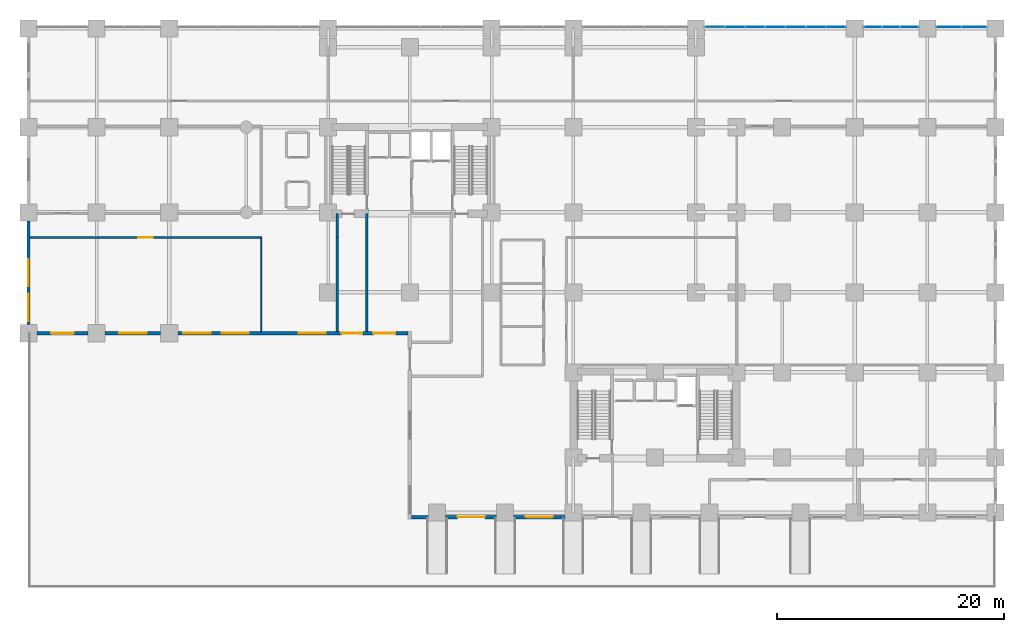
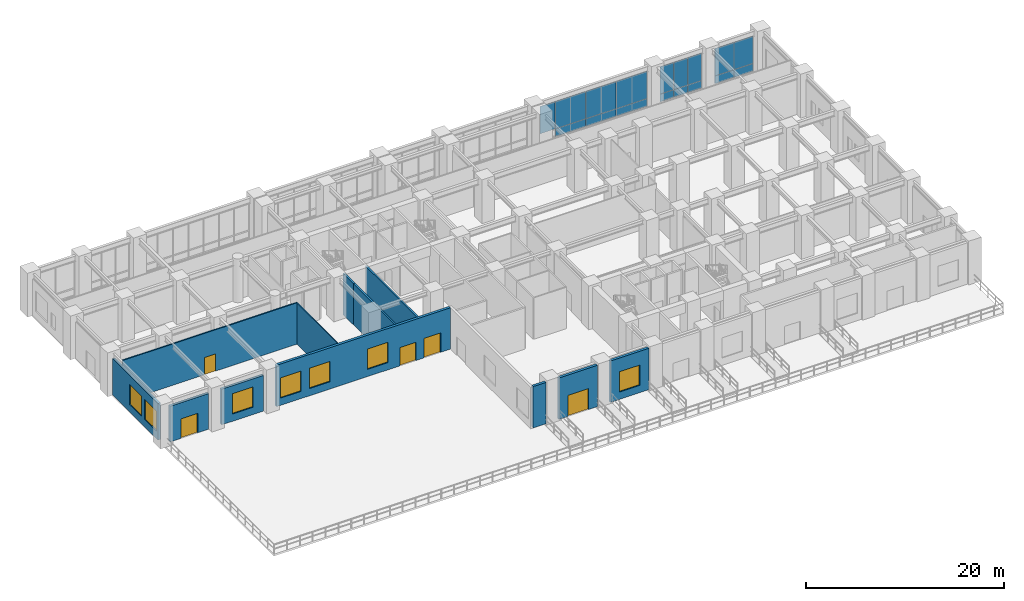
# One storey, part 13 of 22: 17 plates, 12 walls, 7 windows, 5 doors, 12 openings, 3 elements without a shape of their own.
"""IFC4 building model written with IfcOpenShell, lengths in metres."""

import ifcopenshell
import ifcopenshell.guid

model = None  # the IFC model being written
_history = None  # IfcOwnerHistory: only IFC2X3 demands one
_inside = {}  # id of a spatial element -> (the spatial element, [elements in it])
_under = {}  # id of a project, library or spatial element -> (it, [spatial elements below it])
_declared = {}  # id of a project -> (the project, [libraries it declares])
_typed = {}  # id of a type object -> (the type object, [elements of that type])
_made_of = {}  # id of a material, layer set ... -> (it, [elements and type objects made of it])


def new_model(schema):
    """Start an empty IFC model of exactly this schema.

    Asked for "IFC4X3", IfcOpenShell would pick the latest addendum, in which some entities
    have other attributes; the version numbers below select the first issue.
    IFC2X3 requires an IfcOwnerHistory on every rooted entity: one is made here for all.
    """
    global model, _history
    if schema == "IFC4X3":
        model = ifcopenshell.file(schema_version=(4, 3, 0, 0))
    else:
        model = ifcopenshell.file(schema=schema)
    _inside.clear()
    _under.clear()
    _declared.clear()
    _typed.clear()
    _made_of.clear()
    _history = None
    if model.schema == "IFC2X3":
        org = make("IfcOrganization", Name="unknown")
        user = make(
            "IfcPersonAndOrganization",
            ThePerson=make("IfcPerson", FamilyName="unknown"),
            TheOrganization=org,
        )
        app = make(
            "IfcApplication",
            ApplicationDeveloper=org,
            Version="unknown",
            ApplicationFullName="unknown",
            ApplicationIdentifier="unknown",
        )
        _history = make(
            "IfcOwnerHistory",
            OwningUser=user,
            OwningApplication=app,
            ChangeAction="ADDED",
            CreationDate=0,
        )
    return model


def make(cls, **values):
    """One entity of the class cls with the attributes given. An attribute that is None is left unset."""
    return model.create_entity(
        cls, **{name: value for name, value in values.items() if value is not None}
    )


def rooted(cls, **values):
    """An entity with a GlobalId (a new one), such as an element, a storey or a relation."""
    return make(cls, GlobalId=ifcopenshell.guid.new(), OwnerHistory=_history, **values)


def si_unit(unit_type, name, prefix=None):
    """IfcSIUnit, for example si_unit("LENGTHUNIT", "METRE", prefix="MILLI")."""
    return make("IfcSIUnit", UnitType=unit_type, Prefix=prefix, Name=name)


def assignment(units):
    """IfcUnitAssignment: the units of a project."""
    return None if units is None else make("IfcUnitAssignment", Units=units)


def point(xyz):
    """IfcCartesianPoint."""
    return None if xyz is None else make("IfcCartesianPoint", Coordinates=xyz)


def direction(xyz):
    """IfcDirection."""
    return None if xyz is None else make("IfcDirection", DirectionRatios=xyz)


def frame(location, z_axis=None, x_axis=None):
    """IfcAxis2Placement3D, a coordinate frame: its origin and axes. An axis left out is left unset."""
    return make(
        "IfcAxis2Placement3D",
        Location=point(location),
        Axis=direction(z_axis),
        RefDirection=direction(x_axis),
    )


def frame_2d(location, x_axis=None):
    """IfcAxis2Placement2D, a coordinate frame in the plane: its origin and x axis."""
    return make(
        "IfcAxis2Placement2D", Location=point(location), RefDirection=direction(x_axis)
    )


def origin():
    """The frame at (0, 0, 0) with its axes left unset."""
    return frame((0.0, 0.0, 0.0))


def origin_2d():
    """The frame at (0, 0) in the plane with its x axis left unset."""
    return frame_2d((0.0, 0.0))


def place(relative_to, where):
    """IfcLocalPlacement: puts the frame where relative to a parent placement (None: the world)."""
    return make(
        "IfcLocalPlacement", PlacementRelTo=relative_to, RelativePlacement=where
    )


def context(
    kind, dimensions, precision=None, world=None, true_north=None, identifier=None
):
    """IfcGeometricRepresentationContext, for example the 3D "Model" context."""
    return make(
        "IfcGeometricRepresentationContext",
        ContextIdentifier=identifier,
        ContextType=kind,
        CoordinateSpaceDimension=dimensions,
        Precision=precision,
        WorldCoordinateSystem=world,
        TrueNorth=true_north,
    )


def subcontext(parent, identifier, kind, view, scale=None):
    """IfcGeometricRepresentationSubContext, for example "Body" below "Model"."""
    return make(
        "IfcGeometricRepresentationSubContext",
        ContextIdentifier=identifier,
        ContextType=kind,
        ParentContext=parent,
        TargetScale=scale,
        TargetView=view,
    )


def project(units=None, contexts=None):
    """IfcProject with its units and contexts."""
    return rooted(
        "IfcProject",
        Name="project",
        RepresentationContexts=contexts,
        UnitsInContext=assignment(units),
    )


def spatial(cls, under=None, at=None, **own):
    """A site, building, storey or space (cls), placed at a placement, below another one or the project."""
    s = rooted(cls, ObjectPlacement=at, **own)
    if under is not None:
        _under.setdefault(under.id(), (under, []))[1].append(s)
    return s


def profile(cls, at=None, kind="AREA", **sizes):
    """A parametric profile (cls). Its sizes go by their IFC names, for example OverallWidth=200.0."""
    return make(cls, ProfileType=kind, Position=at, **sizes)


def rectangle(**sizes):
    """IfcRectangleProfileDef."""
    return profile("IfcRectangleProfileDef", **sizes)


def extrude(swept, where, along, depth):
    """IfcExtrudedAreaSolid: the profile swept, set in the frame where, extruded along a direction by depth."""
    return make(
        "IfcExtrudedAreaSolid",
        SweptArea=swept,
        Position=where,
        ExtrudedDirection=direction(along),
        Depth=depth,
    )


def shape(context_of_items, identifier, shape_type, items):
    """IfcShapeRepresentation: the items that make up one representation, for example the "Body"."""
    return make(
        "IfcShapeRepresentation",
        ContextOfItems=context_of_items,
        RepresentationIdentifier=identifier,
        RepresentationType=shape_type,
        Items=items,
    )


def source(mapping_origin, context_of_items, identifier, shape_type, items):
    """IfcRepresentationMap: a shape defined once, which mapped items show again and again."""
    return make(
        "IfcRepresentationMap",
        MappingOrigin=mapping_origin,
        MappedRepresentation=shape(context_of_items, identifier, shape_type, items),
    )


def transform(
    local_origin,
    x_axis=None,
    y_axis=None,
    z_axis=None,
    scale=None,
    scale2=None,
    scale3=None,
    uniform=True,
):
    """IfcCartesianTransformationOperator3D, or its non-uniform kind. x_axis, y_axis, z_axis: its Axis1, 2, 3."""
    if uniform:
        return make(
            "IfcCartesianTransformationOperator3D",
            Axis1=direction(x_axis),
            Axis2=direction(y_axis),
            LocalOrigin=point(local_origin),
            Scale=scale,
            Axis3=direction(z_axis),
        )
    return make(
        "IfcCartesianTransformationOperator3DnonUniform",
        Axis1=direction(x_axis),
        Axis2=direction(y_axis),
        LocalOrigin=point(local_origin),
        Scale=scale,
        Axis3=direction(z_axis),
        Scale2=scale2,
        Scale3=scale3,
    )


def mapped(mapping_source, mapping_target):
    """IfcMappedItem: shows the shape of a source again, moved by a transform."""
    return make(
        "IfcMappedItem", MappingSource=mapping_source, MappingTarget=mapping_target
    )


def material(Name=None, Category=None):
    """IfcMaterial."""
    return make("IfcMaterial", Name=Name, Category=Category)


def layer(
    of_material, thickness, ventilated=None, Name=None, Category=None, Priority=None
):
    """IfcMaterialLayer: one layer of a wall or slab, of a material (None: an air gap)."""
    return make(
        "IfcMaterialLayer",
        Material=of_material,
        LayerThickness=thickness,
        IsVentilated=ventilated,
        Name=Name,
        Category=Category,
        Priority=Priority,
    )


def layer_set(layers, Name=None):
    """IfcMaterialLayerSet."""
    return make("IfcMaterialLayerSet", MaterialLayers=layers, LayerSetName=Name)


def made_of(thing, what):
    """Note that an element or type object is made of a material, layer set ...; save() writes the relation."""
    if what is not None:
        _made_of.setdefault(what.id(), (what, []))[1].append(thing)
    return thing


def type_object(cls, material=None, **own):
    """A type object (cls), such as IfcWallType, which elements share."""
    return made_of(rooted(cls, **own), material)


def element(
    cls,
    number,
    at=None,
    inside=None,
    cuts=None,
    type_object=None,
    material=None,
    context=None,
    identifier="Body",
    shape_type=None,
    held_by="IfcProductDefinitionShape",
    body=None,
    shapes=None,
    **own,
):
    """One element of the class cls, such as IfcWall. Its Tag is "e" and its number.

    at: its placement. inside: the storey or other place that contains it. cuts: it is an
    opening in that element (IfcRelVoidsElement). A single representation is given by context,
    identifier, shape_type and body (its items); several are given by shapes. held_by: the class
    of the entity that holds the representations. save() writes the other relations.
    """
    e = rooted(cls, Tag="e%d" % number, ObjectPlacement=at, **own)
    if body is not None:
        shapes = [shape(context, identifier, shape_type, body)]
    if shapes is not None:
        e.Representation = make(held_by, Representations=shapes)
    if inside is not None:
        _inside.setdefault(inside.id(), (inside, []))[1].append(e)
    if cuts is not None:
        rooted(
            "IfcRelVoidsElement", RelatingBuildingElement=cuts, RelatedOpeningElement=e
        )
    if type_object is not None:
        _typed.setdefault(type_object.id(), (type_object, []))[1].append(e)
    return made_of(e, material)


def fill(opening, filler):
    """IfcRelFillsElement: the door or window that sits in an opening."""
    return rooted(
        "IfcRelFillsElement",
        RelatingOpeningElement=opening,
        RelatedBuildingElement=filler,
    )


def aggregate(whole, parts):
    """IfcRelAggregates: a whole, such as a stair, and the parts it consists of."""
    return rooted("IfcRelAggregates", RelatingObject=whole, RelatedObjects=parts)


def save(model, path):
    """Write the relations noted so far, then the file.

    IfcRelAggregates (storeys below a building ...), IfcRelContainedInSpatialStructure (elements
    in a storey), IfcRelDefinesByType, IfcRelAssociatesMaterial and IfcRelDeclares: one each for
    every whole, place, type object, material and project.
    """
    for whole, parts in _under.values():
        aggregate(whole, parts)
    for where, things in _inside.values():
        rooted(
            "IfcRelContainedInSpatialStructure",
            RelatedElements=things,
            RelatingStructure=where,
        )
    for kind, things in _typed.values():
        rooted("IfcRelDefinesByType", RelatedObjects=things, RelatingType=kind)
    for what, things in _made_of.values():
        rooted("IfcRelAssociatesMaterial", RelatedObjects=things, RelatingMaterial=what)
    for by, libraries in _declared.values():
        rooted("IfcRelDeclares", RelatingContext=by, RelatedDefinitions=libraries)
    model.write(path)


model = new_model("IFC4")

# Units and contexts
model_context = context("Model", 3, precision=1e-05, world=origin(), true_north=direction((0.0, 1.0)))
body_context = subcontext(model_context, "Body", "Model", "MODEL_VIEW")
ifc_project = project(units=[si_unit("LENGTHUNIT", "METRE"), si_unit("AREAUNIT", "SQUARE_METRE"), si_unit("VOLUMEUNIT", "CUBIC_METRE"), si_unit("PLANEANGLEUNIT", "RADIAN"), si_unit("MASSUNIT", "GRAM", prefix="KILO")], contexts=[model_context])

# Site, building, storey
site_placement = place(None, origin())
site = spatial("IfcSite", under=ifc_project, at=site_placement, CompositionType="ELEMENT")
building_placement = place(site_placement, origin())
building = spatial("IfcBuilding", under=site, at=building_placement, Name="Kaliganga Portal Commons", CompositionType="ELEMENT")
storey_placement = place(building_placement, origin())
storey = spatial("IfcBuildingStorey", under=building, at=storey_placement, Name="L00", CompositionType="ELEMENT", Elevation=0.0)

# Curtain wall, plates
ifc_material_1 = material(Name="Anodized Aluminium and Laminated Low-E Glass", Category="aluminium")
ifc_layer_1 = layer(ifc_material_1, 0.219970703125)
ifc_layer_set_1 = layer_set([ifc_layer_1], Name="Anodized Aluminium and Laminated Low-E Glass")
curtain_wall_type = type_object("IfcCurtainWallType", Name="CW-SYS-01", PredefinedType="NOTDEFINED", material=ifc_layer_set_1)
curtain_wall_1_placement = place(storey_placement, origin())
curtain_wall_1 = element("IfcCurtainWall", 1, at=curtain_wall_1_placement, inside=storey, type_object=curtain_wall_type, Name="CW 01 L00 P1E02S1", PredefinedType="NOTDEFINED")
ifc_material_2 = material(Name="Insulated Dark Spandrel Panel", Category="metal")
ifc_layer_2 = layer(ifc_material_2, 0.044921875)
ifc_layer_set_2 = layer_set([ifc_layer_2], Name="Insulated Dark Spandrel Panel")
plate_type_1 = type_object("IfcPlateType", Name="PLT-SPN-45", PredefinedType="SHEET", material=ifc_layer_set_2)
shared_shape_1 = source(origin(), body_context, "Body", "SweptSolid", [
    extrude(rectangle(XDim=2.208984375, YDim=0.044921875, at=origin_2d()), origin(), (0.0, 0.0, 1.0), 0.929931640625),
])
plate_1_placement = place(storey_placement, frame((71.324462890625, 45.0, 0.01025390625), z_axis=(0.0, 0.0, 1.0), x_axis=(-1.0, 0.0, 0.0)))
plate_1 = element("IfcPlate", 2, at=plate_1_placement, type_object=plate_type_1, Name="CW:01:L00:P1E02S1 Spandrel 00", PredefinedType="SHEET", context=body_context, shape_type="MappedRepresentation", body=[
    mapped(shared_shape_1, transform((0.0, 0.0, 0.0), x_axis=(1.0, 0.0, 0.0), y_axis=(0.0, 1.0, 0.0), z_axis=(0.0, 0.0, 1.0), scale=1.0)),
])
plate_2_placement = place(storey_placement, frame((69.075439453125, 45.0, 0.01025390625), z_axis=(0.0, 0.0, 1.0), x_axis=(-1.0, 0.0, 0.0)))
plate_2 = element("IfcPlate", 3, at=plate_2_placement, type_object=plate_type_1, Name="CW:01:L00:P1E02S1 Spandrel 01", PredefinedType="SHEET", context=body_context, shape_type="MappedRepresentation", body=[
    mapped(shared_shape_1, transform((0.0, 0.0, 0.0), x_axis=(1.0, 0.0, 0.0), y_axis=(0.0, 1.0, 0.0), z_axis=(0.0, 0.0, 1.0), scale=1.0)),
])
ifc_material_3 = material(Name="Dark Solar-Control Laminated Low-E IGU", Category="glass")
ifc_layer_3 = layer(ifc_material_3, 0.028076171875)
ifc_layer_set_3 = layer_set([ifc_layer_3], Name="Dark Solar-Control Laminated Low-E IGU")
plate_type_2 = type_object("IfcPlateType", Name="PLT-GLZ-28", PredefinedType="CURTAIN_PANEL", material=ifc_layer_set_3)
shared_shape_2 = source(origin(), body_context, "Body", "SweptSolid", [
    extrude(rectangle(XDim=2.208984375, YDim=0.028076171875, at=origin_2d()), origin(), (0.0, 0.0, 1.0), 3.3701171875),
])
plate_3_placement = place(storey_placement, frame((71.324462890625, 45.0, 0.9599609375), z_axis=(0.0, 0.0, 1.0), x_axis=(-1.0, 0.0, 0.0)))
plate_3 = element("IfcPlate", 4, at=plate_3_placement, type_object=plate_type_2, Name="CW:01:L00:P1E02S1 Vision IGU 00", PredefinedType="CURTAIN_PANEL", context=body_context, shape_type="MappedRepresentation", body=[
    mapped(shared_shape_2, transform((0.0, 0.0, 0.0), x_axis=(1.0, 0.0, 0.0), y_axis=(0.0, 1.0, 0.0), z_axis=(0.0, 0.0, 1.0), scale=1.0)),
])
plate_4_placement = place(storey_placement, frame((69.075439453125, 45.0, 0.9599609375), z_axis=(0.0, 0.0, 1.0), x_axis=(-1.0, 0.0, 0.0)))
plate_4 = element("IfcPlate", 5, at=plate_4_placement, type_object=plate_type_2, Name="CW:01:L00:P1E02S1 Vision IGU 01", PredefinedType="CURTAIN_PANEL", context=body_context, shape_type="MappedRepresentation", body=[
    mapped(shared_shape_2, transform((0.0, 0.0, 0.0), x_axis=(1.0, 0.0, 0.0), y_axis=(0.0, 1.0, 0.0), z_axis=(0.0, 0.0, 1.0), scale=1.0)),
])
aggregate(curtain_wall_1, [plate_1, plate_3, plate_2, plate_4])

curtain_wall_2_placement = place(storey_placement, origin())
curtain_wall_2 = element("IfcCurtainWall", 6, at=curtain_wall_2_placement, inside=storey, type_object=curtain_wall_type, Name="CW 01 L00 P1E02S2", PredefinedType="NOTDEFINED")
shared_shape_3 = source(origin(), body_context, "Body", "SweptSolid", [
    extrude(rectangle(XDim=1.5927734375, YDim=0.044921875, at=origin_2d()), origin(), (0.0, 0.0, 1.0), 0.929931640625),
])
plate_5_placement = place(storey_placement, frame((65.6328125, 45.0, 0.01025390625), z_axis=(0.0, 0.0, 1.0), x_axis=(-1.0, 0.0, 0.0)))
plate_5 = element("IfcPlate", 7, at=plate_5_placement, type_object=plate_type_1, Name="CW:01:L00:P1E02S2 Spandrel 00", PredefinedType="SHEET", context=body_context, shape_type="MappedRepresentation", body=[
    mapped(shared_shape_3, transform((0.0, 0.0, 0.0), x_axis=(1.0, 0.0, 0.0), y_axis=(0.0, 1.0, 0.0), z_axis=(0.0, 0.0, 1.0), scale=1.0)),
])
plate_6_placement = place(storey_placement, frame((64.0, 45.0, 0.01025390625), z_axis=(0.0, 0.0, 1.0), x_axis=(-1.0, 0.0, 0.0)))
plate_6 = element("IfcPlate", 8, at=plate_6_placement, type_object=plate_type_1, Name="CW:01:L00:P1E02S2 Spandrel 01", PredefinedType="SHEET", context=body_context, shape_type="MappedRepresentation", body=[
    mapped(shared_shape_3, transform((0.0, 0.0, 0.0), x_axis=(1.0, 0.0, 0.0), y_axis=(0.0, 1.0, 0.0), z_axis=(0.0, 0.0, 1.0), scale=1.0)),
])
plate_7_placement = place(storey_placement, frame((62.3671875, 45.0, 0.01025390625), z_axis=(0.0, 0.0, 1.0), x_axis=(-1.0, 0.0, 0.0)))
plate_7 = element("IfcPlate", 9, at=plate_7_placement, type_object=plate_type_1, Name="CW:01:L00:P1E02S2 Spandrel 02", PredefinedType="SHEET", context=body_context, shape_type="MappedRepresentation", body=[
    mapped(shared_shape_3, transform((0.0, 0.0, 0.0), x_axis=(1.0, 0.0, 0.0), y_axis=(0.0, 1.0, 0.0), z_axis=(0.0, 0.0, 1.0), scale=1.0)),
])
shared_shape_4 = source(origin(), body_context, "Body", "SweptSolid", [
    extrude(rectangle(XDim=1.5927734375, YDim=0.028076171875, at=origin_2d()), origin(), (0.0, 0.0, 1.0), 3.3701171875),
])
plate_8_placement = place(storey_placement, frame((65.6328125, 45.0, 0.9599609375), z_axis=(0.0, 0.0, 1.0), x_axis=(-1.0, 0.0, 0.0)))
plate_8 = element("IfcPlate", 10, at=plate_8_placement, type_object=plate_type_2, Name="CW:01:L00:P1E02S2 Vision IGU 00", PredefinedType="CURTAIN_PANEL", context=body_context, shape_type="MappedRepresentation", body=[
    mapped(shared_shape_4, transform((0.0, 0.0, 0.0), x_axis=(1.0, 0.0, 0.0), y_axis=(0.0, 1.0, 0.0), z_axis=(0.0, 0.0, 1.0), scale=1.0)),
])
plate_9_placement = place(storey_placement, frame((64.0, 45.0, 0.9599609375), z_axis=(0.0, 0.0, 1.0), x_axis=(-1.0, 0.0, 0.0)))
plate_9 = element("IfcPlate", 11, at=plate_9_placement, type_object=plate_type_2, Name="CW:01:L00:P1E02S2 Vision IGU 01", PredefinedType="CURTAIN_PANEL", context=body_context, shape_type="MappedRepresentation", body=[
    mapped(shared_shape_4, transform((0.0, 0.0, 0.0), x_axis=(1.0, 0.0, 0.0), y_axis=(0.0, 1.0, 0.0), z_axis=(0.0, 0.0, 1.0), scale=1.0)),
])
plate_10_placement = place(storey_placement, frame((62.3671875, 45.0, 0.9599609375), z_axis=(0.0, 0.0, 1.0), x_axis=(-1.0, 0.0, 0.0)))
plate_10 = element("IfcPlate", 12, at=plate_10_placement, type_object=plate_type_2, Name="CW:01:L00:P1E02S2 Vision IGU 02", PredefinedType="CURTAIN_PANEL", context=body_context, shape_type="MappedRepresentation", body=[
    mapped(shared_shape_4, transform((0.0, 0.0, 0.0), x_axis=(1.0, 0.0, 0.0), y_axis=(0.0, 1.0, 0.0), z_axis=(0.0, 0.0, 1.0), scale=1.0)),
])
aggregate(curtain_wall_2, [plate_5, plate_8, plate_6, plate_9, plate_7, plate_10])

curtain_wall_3_placement = place(storey_placement, origin())
curtain_wall_3 = element("IfcCurtainWall", 13, at=curtain_wall_3_placement, inside=storey, type_object=curtain_wall_type, Name="CW 01 L00 P1E02S3", PredefinedType="NOTDEFINED")
shared_shape_5 = source(origin(), body_context, "Body", "SweptSolid", [
    extrude(rectangle(XDim=3.531005859375, YDim=0.044921875, at=origin_2d()), origin(), (0.0, 0.0, 1.0), 0.929931640625),
])
plate_11_placement = place(storey_placement, frame((58.263671875, 45.0, 0.01025390625), z_axis=(0.0, 0.0, 1.0), x_axis=(-1.0, 0.0, 0.0)))
plate_11 = element("IfcPlate", 14, at=plate_11_placement, type_object=plate_type_1, Name="CW:01:L00:P1E02S3 Spandrel 00", PredefinedType="SHEET", context=body_context, shape_type="MappedRepresentation", body=[
    mapped(shared_shape_5, transform((0.0, 0.0, 0.0), x_axis=(1.0, 0.0, 0.0), y_axis=(0.0, 1.0, 0.0), z_axis=(0.0, 0.0, 1.0), scale=1.0)),
])
plate_12_placement = place(storey_placement, frame((54.692626953125, 45.0, 0.01025390625), z_axis=(0.0, 0.0, 1.0), x_axis=(-1.0, 0.0, 0.0)))
plate_12 = element("IfcPlate", 15, at=plate_12_placement, type_object=plate_type_1, Name="CW:01:L00:P1E02S3 Spandrel 02", PredefinedType="SHEET", context=body_context, shape_type="MappedRepresentation", body=[
    mapped(shared_shape_5, transform((0.0, 0.0, 0.0), x_axis=(1.0, 0.0, 0.0), y_axis=(0.0, 1.0, 0.0), z_axis=(0.0, 0.0, 1.0), scale=1.0)),
])
plate_13_placement = place(storey_placement, frame((51.121826171875, 45.0, 0.01025390625), z_axis=(0.0, 0.0, 1.0), x_axis=(-1.0, 0.0, 0.0)))
plate_13 = element("IfcPlate", 16, at=plate_13_placement, type_object=plate_type_1, Name="CW:01:L00:P1E02S3 Spandrel 04", PredefinedType="SHEET", context=body_context, shape_type="MappedRepresentation", body=[
    mapped(shared_shape_5, transform((0.0, 0.0, 0.0), x_axis=(1.0, 0.0, 0.0), y_axis=(0.0, 1.0, 0.0), z_axis=(0.0, 0.0, 1.0), scale=1.0)),
])
shared_shape_6 = source(origin(), body_context, "Body", "SweptSolid", [
    extrude(rectangle(XDim=3.531005859375, YDim=0.028076171875, at=origin_2d()), origin(), (0.0, 0.0, 1.0), 3.3701171875),
])
plate_14_placement = place(storey_placement, frame((58.263671875, 45.0, 0.9599609375), z_axis=(0.0, 0.0, 1.0), x_axis=(-1.0, 0.0, 0.0)))
plate_14 = element("IfcPlate", 17, at=plate_14_placement, type_object=plate_type_2, Name="CW:01:L00:P1E02S3 Vision IGU 00", PredefinedType="CURTAIN_PANEL", context=body_context, shape_type="MappedRepresentation", body=[
    mapped(shared_shape_6, transform((0.0, 0.0, 0.0), x_axis=(1.0, 0.0, 0.0), y_axis=(0.0, 1.0, 0.0), z_axis=(0.0, 0.0, 1.0), scale=1.0)),
])
plate_15_placement = place(storey_placement, frame((54.692626953125, 45.0, 0.9599609375), z_axis=(0.0, 0.0, 1.0), x_axis=(-1.0, 0.0, 0.0)))
plate_15 = element("IfcPlate", 18, at=plate_15_placement, type_object=plate_type_2, Name="CW:01:L00:P1E02S3 Vision IGU 02", PredefinedType="CURTAIN_PANEL", context=body_context, shape_type="MappedRepresentation", body=[
    mapped(shared_shape_6, transform((0.0, 0.0, 0.0), x_axis=(1.0, 0.0, 0.0), y_axis=(0.0, 1.0, 0.0), z_axis=(0.0, 0.0, 1.0), scale=1.0)),
])
plate_16_placement = place(storey_placement, frame((51.121826171875, 45.0, 0.9599609375), z_axis=(0.0, 0.0, 1.0), x_axis=(-1.0, 0.0, 0.0)))
plate_16 = element("IfcPlate", 19, at=plate_16_placement, type_object=plate_type_2, Name="CW:01:L00:P1E02S3 Vision IGU 04", PredefinedType="CURTAIN_PANEL", context=body_context, shape_type="MappedRepresentation", body=[
    mapped(shared_shape_6, transform((0.0, 0.0, 0.0), x_axis=(1.0, 0.0, 0.0), y_axis=(0.0, 1.0, 0.0), z_axis=(0.0, 0.0, 1.0), scale=1.0)),
])
shared_shape_7 = source(origin(), body_context, "Body", "SweptSolid", [
    extrude(rectangle(XDim=1.745361328125, YDim=0.028076171875, at=origin_2d()), origin(), (0.0, 0.0, 1.0), 3.3701171875),
])
plate_17_placement = place(storey_placement, frame((48.443603515625, 45.0, 0.9599609375), z_axis=(0.0, 0.0, 1.0), x_axis=(-1.0, 0.0, 0.0)))
plate_17 = element("IfcPlate", 20, at=plate_17_placement, type_object=plate_type_2, Name="CW:01:L00:P1E02S3 Vision IGU 06", PredefinedType="CURTAIN_PANEL", context=body_context, shape_type="MappedRepresentation", body=[
    mapped(shared_shape_7, transform((0.0, 0.0, 0.0), x_axis=(1.0, 0.0, 0.0), y_axis=(0.0, 1.0, 0.0), z_axis=(0.0, 0.0, 1.0), scale=1.0)),
])
aggregate(curtain_wall_3, [plate_11, plate_14, plate_12, plate_15, plate_13, plate_16, plate_17])

# Wall
ifc_material_4 = material(Name="Precast concrete C40/50", Category="concrete")
ifc_layer_4 = layer(ifc_material_4, 0.300048828125)
ifc_layer_set_4 = layer_set([ifc_layer_4], Name="Precast concrete C40/50")
wall_type_1 = type_object("IfcWallType", Name="WL-EXT-POD-300", PredefinedType="STANDARD", material=ifc_layer_set_4)
wall_1_placement = place(storey_placement, frame((23.2490234375, 1.800048828125, 0.0), z_axis=(0.0, 0.0, 1.0), x_axis=(-1.0, 0.0, 0.0)))
element("IfcWall", 21, at=wall_1_placement, inside=storey, type_object=wall_type_1, Name="Exterior Envelope Wall L00 P1-E00-S1", PredefinedType="STANDARD", context=body_context, shape_type="SweptSolid", body=[
    extrude(rectangle(XDim=1.494140625, YDim=0.300048828125, at=frame_2d((0.7470703125, 0.0))), origin(), (0.0, 0.0, 1.0), 5.10009765625),
])

# Wall, opening, door
wall_2_placement = place(storey_placement, frame((29.2490234375, 1.800048828125, 0.0), z_axis=(0.0, 0.0, 1.0), x_axis=(-1.0, 0.0, 0.0)))
wall_2 = element("IfcWall", 22, at=wall_2_placement, inside=storey, type_object=wall_type_1, Name="Exterior Envelope Wall L00 P1-E00-S2", PredefinedType="STANDARD", context=body_context, shape_type="SweptSolid", body=[
    extrude(rectangle(XDim=4.498046875, YDim=0.300048828125, at=frame_2d((2.2490234375, 0.0))), origin(), (0.0, 0.0, 1.0), 5.10009765625),
])
opening_1_placement = place(wall_2_placement, frame((1.049072265625, 0.0, 0.0)))
opening_1 = element("IfcOpeningElement", 23, at=opening_1_placement, cuts=wall_2, Name="Opening ED-01", PredefinedType="OPENING", context=body_context, shape_type="SweptSolid", body=[
    extrude(rectangle(XDim=2.39990234375, YDim=2.60009765625, at=frame_2d((1.199951171875, 1.300048828125))), frame((0.0, 0.16015625, 0.0), z_axis=(0.0, -1.0, 0.0), x_axis=(1.0, 0.0, 0.0)), (0.0, 0.0, 1.0), 0.320068359375),
])
ifc_material_5 = material(Name="Anodized Aluminium and Laminated Safety Glass", Category="aluminium")
door_type_1 = type_object("IfcDoorType", Name="DR-ENT-2400", OperationType="DOUBLE_DOOR_SINGLE_SWING", PredefinedType="DOOR", material=ifc_material_5)
door_1_placement = place(opening_1_placement, origin())
door_1 = element("IfcDoor", 24, at=door_1_placement, inside=storey, type_object=door_type_1, Name="Main Canal Concourse Entrance ED-01", OperationType="DOUBLE_DOOR_SINGLE_SWING", OverallHeight=2.60009765625, OverallWidth=2.39990234375, PredefinedType="DOOR", context=body_context, shape_type="SweptSolid", body=[
    extrude(rectangle(XDim=2.39990234375, YDim=2.60009765625, at=frame_2d((1.199951171875, 1.300048828125))), frame((0.0, 0.02490234375, 0.0), z_axis=(0.0, -1.0, 0.0), x_axis=(1.0, 0.0, 0.0)), (0.0, 0.0, 1.0), 0.050048828125),
])
fill(opening_1, door_1)

# Wall, opening, window
wall_3_placement = place(storey_placement, frame((35.2490234375, 1.800048828125, 0.0), z_axis=(0.0, 0.0, 1.0), x_axis=(-1.0, 0.0, 0.0)))
wall_3 = element("IfcWall", 25, at=wall_3_placement, inside=storey, type_object=wall_type_1, Name="Exterior Envelope Wall L00 P1-E00-S3", PredefinedType="STANDARD", context=body_context, shape_type="SweptSolid", body=[
    extrude(rectangle(XDim=4.498046875, YDim=0.300048828125, at=frame_2d((2.2490234375, 0.0))), origin(), (0.0, 0.0, 1.0), 5.10009765625),
])
opening_2_placement = place(wall_3_placement, frame((1.049072265625, 0.0, 0.89990234375)))
opening_2 = element("IfcOpeningElement", 26, at=opening_2_placement, cuts=wall_3, Name="Opening W-05", PredefinedType="OPENING", context=body_context, shape_type="SweptSolid", body=[
    extrude(rectangle(XDim=2.39990234375, YDim=2.5, at=frame_2d((1.199951171875, 1.25))), frame((0.0, 0.16015625, 0.0), z_axis=(0.0, -1.0, 0.0), x_axis=(1.0, 0.0, 0.0)), (0.0, 0.0, 1.0), 0.320068359375),
])
ifc_material_6 = material(Name="Thermally Broken Aluminium and Low-E Double Glazing", Category="aluminium")
window_type = type_object("IfcWindowType", Name="WIN-POD-2400", PartitioningType="TRIPLE_PANEL_VERTICAL", PredefinedType="WINDOW", material=ifc_material_6)
window_1_placement = place(opening_2_placement, origin())
window_1 = element("IfcWindow", 27, at=window_1_placement, inside=storey, type_object=window_type, Name="Facade Window L00-P1E00S3-00", OverallHeight=2.5, OverallWidth=2.39990234375, PartitioningType="SINGLE_PANEL", PredefinedType="WINDOW", context=body_context, shape_type="SweptSolid", body=[
    extrude(rectangle(XDim=2.39990234375, YDim=2.5, at=frame_2d((1.199951171875, 1.25))), frame((0.0, 0.030029296875, 0.0), z_axis=(0.0, -1.0, 0.0), x_axis=(1.0, 0.0, 0.0)), (0.0, 0.0, 1.0), 0.06005859375),
])
fill(opening_2, window_1)

# Wall, openings, windows
wall_4_placement = place(storey_placement, frame((-12.0, 18.7509765625, 0.0), z_axis=(0.0, 0.0, 1.0), x_axis=(0.0, 1.0, 0.0)))
wall_4 = element("IfcWall", 28, at=wall_4_placement, inside=storey, type_object=wall_type_1, Name="Exterior Envelope Wall L00 P1-E03-S3", PredefinedType="STANDARD", context=body_context, shape_type="SweptSolid", body=[
    extrude(rectangle(XDim=9.14794921875, YDim=0.300048828125, at=frame_2d((4.573974609375, 0.0))), origin(), (0.0, 0.0, 1.0), 4.5),
])
opening_3_placement = place(wall_4_placement, frame((0.32470703125, 0.0, 0.89990234375)))
opening_3 = element("IfcOpeningElement", 29, at=opening_3_placement, cuts=wall_4, Name="Opening W-05", PredefinedType="OPENING", context=body_context, shape_type="SweptSolid", body=[
    extrude(rectangle(XDim=2.39990234375, YDim=2.5, at=frame_2d((1.199951171875, 1.25))), frame((0.0, 0.16015625, 0.0), z_axis=(0.0, -1.0, 0.0), x_axis=(1.0, 0.0, 0.0)), (0.0, 0.0, 1.0), 0.320068359375),
])
opening_4_placement = place(wall_4_placement, frame((3.3740234375, 0.0, 0.89990234375)))
opening_4 = element("IfcOpeningElement", 30, at=opening_4_placement, cuts=wall_4, Name="Opening W-05", PredefinedType="OPENING", context=body_context, shape_type="SweptSolid", body=[
    extrude(rectangle(XDim=2.39990234375, YDim=2.5, at=frame_2d((1.199951171875, 1.25))), frame((0.0, 0.16015625, 0.0), z_axis=(0.0, -1.0, 0.0), x_axis=(1.0, 0.0, 0.0)), (0.0, 0.0, 1.0), 0.320068359375),
])
window_2_placement = place(opening_3_placement, origin())
window_2 = element("IfcWindow", 31, at=window_2_placement, inside=storey, type_object=window_type, Name="Facade Window L00-P1E03S3-00", OverallHeight=2.5, OverallWidth=2.39990234375, PartitioningType="SINGLE_PANEL", PredefinedType="WINDOW", context=body_context, shape_type="SweptSolid", body=[
    extrude(rectangle(XDim=2.39990234375, YDim=2.5, at=frame_2d((1.199951171875, 1.25))), frame((0.0, 0.030029296875, 0.0), z_axis=(0.0, -1.0, 0.0), x_axis=(1.0, 0.0, 0.0)), (0.0, 0.0, 1.0), 0.06005859375),
])
fill(opening_3, window_2)
window_3_placement = place(opening_4_placement, origin())
window_3 = element("IfcWindow", 32, at=window_3_placement, inside=storey, type_object=window_type, Name="Facade Window L00-P1E03S3-01", OverallHeight=2.5, OverallWidth=2.39990234375, PartitioningType="SINGLE_PANEL", PredefinedType="WINDOW", context=body_context, shape_type="SweptSolid", body=[
    extrude(rectangle(XDim=2.39990234375, YDim=2.5, at=frame_2d((1.199951171875, 1.25))), frame((0.0, 0.030029296875, 0.0), z_axis=(0.0, -1.0, 0.0), x_axis=(1.0, 0.0, 0.0)), (0.0, 0.0, 1.0), 0.06005859375),
])
fill(opening_4, window_3)

# Wall, opening, door
wall_5_placement = place(storey_placement, frame((-6.7509765625, 18.0, 0.0), z_axis=(0.0, 0.0, 1.0), x_axis=(-1.0, 0.0, 0.0)))
wall_5 = element("IfcWall", 33, at=wall_5_placement, inside=storey, type_object=wall_type_1, Name="Exterior Envelope Wall L00 P1-E04-S1", PredefinedType="STANDARD", context=body_context, shape_type="SweptSolid", body=[
    extrude(rectangle(XDim=4.498046875, YDim=0.300048828125, at=frame_2d((2.2490234375, 0.0))), origin(), (0.0, 0.0, 1.0), 4.39990234375),
])
opening_5_placement = place(wall_5_placement, frame((1.27392578125, 0.0, 0.0)))
opening_5 = element("IfcOpeningElement", 34, at=opening_5_placement, cuts=wall_5, Name="Opening ED-02", PredefinedType="OPENING", context=body_context, shape_type="SweptSolid", body=[
    extrude(rectangle(XDim=1.949951171875, YDim=2.39990234375, at=frame_2d((0.97509765625, 1.199951171875))), frame((0.0, 0.16015625, 0.0), z_axis=(0.0, -1.0, 0.0), x_axis=(1.0, 0.0, 0.0)), (0.0, 0.0, 1.0), 0.320068359375),
])
door_type_2 = type_object("IfcDoorType", Name="DR-POD-1950", OperationType="DOUBLE_DOOR_SINGLE_SWING", PredefinedType="DOOR", material=ifc_material_5)
door_2_placement = place(opening_5_placement, origin())
door_2 = element("IfcDoor", 35, at=door_2_placement, inside=storey, type_object=door_type_2, Name="Canal Promenade Cafe Door ED-02", OperationType="DOUBLE_DOOR_SINGLE_SWING", OverallHeight=2.39990234375, OverallWidth=1.949951171875, PredefinedType="DOOR", context=body_context, shape_type="SweptSolid", body=[
    extrude(rectangle(XDim=1.949951171875, YDim=2.39990234375, at=frame_2d((0.97509765625, 1.199951171875))), frame((0.0, 0.02490234375, 0.0), z_axis=(0.0, -1.0, 0.0), x_axis=(1.0, 0.0, 0.0)), (0.0, 0.0, 1.0), 0.050048828125),
])
fill(opening_5, door_2)

# Wall, opening, window
wall_6_placement = place(storey_placement, frame((-0.35107421875, 18.0, 0.0), z_axis=(0.0, 0.0, 1.0), x_axis=(-1.0, 0.0, 0.0)))
wall_6 = element("IfcWall", 36, at=wall_6_placement, inside=storey, type_object=wall_type_1, Name="Exterior Envelope Wall L00 P1-E04-S2", PredefinedType="STANDARD", context=body_context, shape_type="SweptSolid", body=[
    extrude(rectangle(XDim=4.89794921875, YDim=0.300048828125, at=frame_2d((2.448974609375, 0.0))), origin(), (0.0, 0.0, 1.0), 4.39990234375),
])
opening_6_placement = place(wall_6_placement, frame((1.2490234375, 0.0, 0.89990234375)))
opening_6 = element("IfcOpeningElement", 37, at=opening_6_placement, cuts=wall_6, Name="Opening W-05", PredefinedType="OPENING", context=body_context, shape_type="SweptSolid", body=[
    extrude(rectangle(XDim=2.39990234375, YDim=2.5, at=frame_2d((1.199951171875, 1.25))), frame((0.0, 0.16015625, 0.0), z_axis=(0.0, -1.0, 0.0), x_axis=(1.0, 0.0, 0.0)), (0.0, 0.0, 1.0), 0.320068359375),
])
window_4_placement = place(opening_6_placement, origin())
window_4 = element("IfcWindow", 38, at=window_4_placement, inside=storey, type_object=window_type, Name="Facade Window L00-P1E04S2-00", OverallHeight=2.5, OverallWidth=2.39990234375, PartitioningType="SINGLE_PANEL", PredefinedType="WINDOW", context=body_context, shape_type="SweptSolid", body=[
    extrude(rectangle(XDim=2.39990234375, YDim=2.5, at=frame_2d((1.199951171875, 1.25))), frame((0.0, 0.030029296875, 0.0), z_axis=(0.0, -1.0, 0.0), x_axis=(1.0, 0.0, 0.0)), (0.0, 0.0, 1.0), 0.06005859375),
])
fill(opening_6, window_4)

# Wall, openings, doors, windows
wall_7_placement = place(storey_placement, frame((21.445068359375, 18.0, 0.0), z_axis=(0.0, 0.0, 1.0), x_axis=(-1.0, 0.0, 0.0)))
wall_7 = element("IfcWall", 39, at=wall_7_placement, inside=storey, type_object=wall_type_1, Name="Exterior Envelope Wall L00 P1-E04-S3", PredefinedType="STANDARD", context=body_context, shape_type="SweptSolid", body=[
    extrude(rectangle(XDim=20.294189453125, YDim=0.300048828125, at=frame_2d((10.14697265625, 0.0))), origin(), (0.0, 0.0, 1.0), 5.10009765625),
])
opening_7_placement = place(wall_7_placement, frame((4.02001953125, 0.0, 0.0)))
opening_7 = element("IfcOpeningElement", 40, at=opening_7_placement, cuts=wall_7, Name="Opening XD-01", PredefinedType="OPENING", context=body_context, shape_type="SweptSolid", body=[
    extrude(rectangle(XDim=1.85009765625, YDim=2.25, at=frame_2d((0.925048828125, 1.125))), frame((0.0, 0.16015625, 0.0), z_axis=(0.0, -1.0, 0.0), x_axis=(1.0, 0.0, 0.0)), (0.0, 0.0, 1.0), 0.320068359375),
])
opening_8_placement = place(wall_7_placement, frame((1.1201171875, 0.0, 0.0)))
opening_8 = element("IfcOpeningElement", 41, at=opening_8_placement, cuts=wall_7, Name="Opening ED-02", PredefinedType="OPENING", context=body_context, shape_type="SweptSolid", body=[
    extrude(rectangle(XDim=1.949951171875, YDim=2.39990234375, at=frame_2d((0.97509765625, 1.199951171875))), frame((0.0, 0.16015625, 0.0), z_axis=(0.0, -1.0, 0.0), x_axis=(1.0, 0.0, 0.0)), (0.0, 0.0, 1.0), 0.320068359375),
])
opening_9_placement = place(wall_7_placement, frame((7.255859375, 0.0, 0.89990234375)))
opening_9 = element("IfcOpeningElement", 42, at=opening_9_placement, cuts=wall_7, Name="Opening W-05", PredefinedType="OPENING", context=body_context, shape_type="SweptSolid", body=[
    extrude(rectangle(XDim=2.39990234375, YDim=2.5, at=frame_2d((1.199951171875, 1.25))), frame((0.0, 0.16015625, 0.0), z_axis=(0.0, -1.0, 0.0), x_axis=(1.0, 0.0, 0.0)), (0.0, 0.0, 1.0), 0.320068359375),
])
opening_10_placement = place(wall_7_placement, frame((14.0205078125, 0.0, 0.89990234375)))
opening_10 = element("IfcOpeningElement", 43, at=opening_10_placement, cuts=wall_7, Name="Opening W-05", PredefinedType="OPENING", context=body_context, shape_type="SweptSolid", body=[
    extrude(rectangle(XDim=2.39990234375, YDim=2.5, at=frame_2d((1.199951171875, 1.25))), frame((0.0, 0.16015625, 0.0), z_axis=(0.0, -1.0, 0.0), x_axis=(1.0, 0.0, 0.0)), (0.0, 0.0, 1.0), 0.320068359375),
])
opening_11_placement = place(wall_7_placement, frame((17.40283203125, 0.0, 0.89990234375)))
opening_11 = element("IfcOpeningElement", 44, at=opening_11_placement, cuts=wall_7, Name="Opening W-05", PredefinedType="OPENING", context=body_context, shape_type="SweptSolid", body=[
    extrude(rectangle(XDim=2.39990234375, YDim=2.5, at=frame_2d((1.199951171875, 1.25))), frame((0.0, 0.16015625, 0.0), z_axis=(0.0, -1.0, 0.0), x_axis=(1.0, 0.0, 0.0)), (0.0, 0.0, 1.0), 0.320068359375),
])
door_type_3 = type_object("IfcDoorType", Name="DR-EXIT-1850", OperationType="DOUBLE_DOOR_SINGLE_SWING", PredefinedType="DOOR", material=ifc_material_5)
door_3_placement = place(opening_7_placement, origin())
door_3 = element("IfcDoor", 45, at=door_3_placement, inside=storey, type_object=door_type_3, Name="Final Exit Discharge Door XD-01", OperationType="DOUBLE_DOOR_SINGLE_SWING", OverallHeight=2.25, OverallWidth=1.85009765625, PredefinedType="DOOR", context=body_context, shape_type="SweptSolid", body=[
    extrude(rectangle(XDim=1.85009765625, YDim=2.25, at=frame_2d((0.925048828125, 1.125))), frame((0.0, 0.02490234375, 0.0), z_axis=(0.0, -1.0, 0.0), x_axis=(1.0, 0.0, 0.0)), (0.0, 0.0, 1.0), 0.050048828125),
])
fill(opening_7, door_3)
door_4_placement = place(opening_8_placement, origin())
door_4 = element("IfcDoor", 46, at=door_4_placement, inside=storey, type_object=door_type_2, Name="Core A Waterfront Vestibule Door ED-02", OperationType="DOUBLE_DOOR_SINGLE_SWING", OverallHeight=2.39990234375, OverallWidth=1.949951171875, PredefinedType="DOOR", context=body_context, shape_type="SweptSolid", body=[
    extrude(rectangle(XDim=1.949951171875, YDim=2.39990234375, at=frame_2d((0.97509765625, 1.199951171875))), frame((0.0, 0.02490234375, 0.0), z_axis=(0.0, -1.0, 0.0), x_axis=(1.0, 0.0, 0.0)), (0.0, 0.0, 1.0), 0.050048828125),
])
fill(opening_8, door_4)
window_5_placement = place(opening_9_placement, origin())
window_5 = element("IfcWindow", 47, at=window_5_placement, inside=storey, type_object=window_type, Name="Facade Window L00-P1E04S3-02", OverallHeight=2.5, OverallWidth=2.39990234375, PartitioningType="SINGLE_PANEL", PredefinedType="WINDOW", context=body_context, shape_type="SweptSolid", body=[
    extrude(rectangle(XDim=2.39990234375, YDim=2.5, at=frame_2d((1.199951171875, 1.25))), frame((0.0, 0.030029296875, 0.0), z_axis=(0.0, -1.0, 0.0), x_axis=(1.0, 0.0, 0.0)), (0.0, 0.0, 1.0), 0.06005859375),
])
fill(opening_9, window_5)
window_6_placement = place(opening_10_placement, origin())
window_6 = element("IfcWindow", 48, at=window_6_placement, inside=storey, type_object=window_type, Name="Facade Window L00-P1E04S3-04", OverallHeight=2.5, OverallWidth=2.39990234375, PartitioningType="SINGLE_PANEL", PredefinedType="WINDOW", context=body_context, shape_type="SweptSolid", body=[
    extrude(rectangle(XDim=2.39990234375, YDim=2.5, at=frame_2d((1.199951171875, 1.25))), frame((0.0, 0.030029296875, 0.0), z_axis=(0.0, -1.0, 0.0), x_axis=(1.0, 0.0, 0.0)), (0.0, 0.0, 1.0), 0.06005859375),
])
fill(opening_10, window_6)
window_7_placement = place(opening_11_placement, origin())
window_7 = element("IfcWindow", 49, at=window_7_placement, inside=storey, type_object=window_type, Name="Facade Window L00-P1E04S3-05", OverallHeight=2.5, OverallWidth=2.39990234375, PartitioningType="SINGLE_PANEL", PredefinedType="WINDOW", context=body_context, shape_type="SweptSolid", body=[
    extrude(rectangle(XDim=2.39990234375, YDim=2.5, at=frame_2d((1.199951171875, 1.25))), frame((0.0, 0.030029296875, 0.0), z_axis=(0.0, -1.0, 0.0), x_axis=(1.0, 0.0, 0.0)), (0.0, 0.0, 1.0), 0.06005859375),
])
fill(opening_11, window_7)

# Wall, opening, door
ifc_material_7 = material(Name="Fire-Rated Gypsum Board on Steel Stud", Category="steel")
ifc_layer_5 = layer(ifc_material_7, 0.14990234375)
ifc_layer_set_5 = layer_set([ifc_layer_5], Name="Fire-Rated Gypsum Board on Steel Stud")
wall_type_2 = type_object("IfcWallType", Name="WL-PART-CORR-150", PredefinedType="PARTITIONING", material=ifc_layer_set_5)
wall_8_placement = place(storey_placement, frame((-11.867919921875, 26.43994140625, 0.0), z_axis=(0.0, 0.0, 1.0), x_axis=(1.0, 0.0, 0.0)))
wall_8 = element("IfcWall", 50, at=wall_8_placement, inside=storey, type_object=wall_type_2, Name="Interior Partition L00-019", PredefinedType="PARTITIONING", context=body_context, shape_type="SweptSolid", body=[
    extrude(rectangle(XDim=20.367919921875, YDim=0.14990234375, at=frame_2d((10.18408203125, 0.0))), origin(), (0.0, 0.0, 1.0), 5.10009765625),
])
opening_12_placement = place(wall_8_placement, frame((9.533935546875, 0.0, 0.0)))
opening_12 = element("IfcOpeningElement", 51, at=opening_12_placement, cuts=wall_8, Name="Opening RD-03", PredefinedType="OPENING", context=body_context, shape_type="SweptSolid", body=[
    extrude(rectangle(XDim=1.300048828125, YDim=2.1201171875, at=frame_2d((0.64990234375, 1.06005859375))), frame((0.0, 0.0849609375, 0.0), z_axis=(0.0, -1.0, 0.0), x_axis=(1.0, 0.0, 0.0)), (0.0, 0.0, 1.0), 0.169921875),
])
ifc_material_8 = material(Name="Glazed Timber Seminar Vision Door", Category="wood")
door_type_4 = type_object("IfcDoorType", Name="DR-STUDY-1300", OperationType="DOUBLE_DOOR_SINGLE_SWING", PredefinedType="DOOR", material=ifc_material_8)
door_5_placement = place(opening_12_placement, origin())
door_5 = element("IfcDoor", 52, at=door_5_placement, inside=storey, type_object=door_type_4, Name="Interior Door L00-CAFE_W", OperationType="DOUBLE_DOOR_SINGLE_SWING", OverallHeight=2.1201171875, OverallWidth=1.300048828125, PredefinedType="DOOR", context=body_context, shape_type="SweptSolid", body=[
    extrude(rectangle(XDim=1.300048828125, YDim=2.1201171875, at=frame_2d((0.64990234375, 1.06005859375))), frame((0.0, 0.02490234375, 0.0), z_axis=(0.0, -1.0, 0.0), x_axis=(1.0, 0.0, 0.0)), (0.0, 0.0, 1.0), 0.050048828125),
])
fill(opening_12, door_5)

# Walls
ifc_material_9 = material(Name="Moisture-Resistant Gypsum Partition", Category="gypsum")
ifc_layer_6 = layer(ifc_material_9, 0.114990234375)
ifc_layer_set_6 = layer_set([ifc_layer_6], Name="Moisture-Resistant Gypsum Partition")
wall_type_3 = type_object("IfcWallType", Name="WL-PART-ROOM-115", PredefinedType="PARTITIONING", material=ifc_layer_set_6)
wall_9_placement = place(storey_placement, frame((8.5, 18.132080078125, 0.0), z_axis=(0.0, 0.0, 1.0), x_axis=(0.0, 1.0, 0.0)))
element("IfcWall", 53, at=wall_9_placement, inside=storey, type_object=wall_type_3, Name="Interior Partition L00-047", PredefinedType="PARTITIONING", context=body_context, shape_type="SweptSolid", body=[
    extrude(rectangle(XDim=8.307861328125, YDim=0.114990234375, at=frame_2d((4.15380859375, 0.0))), origin(), (0.0, 0.0, 1.0), 5.10009765625),
])
ifc_material_10 = material(Name="Fire-Rated Shaftwall Masonry Assembly", Category="masonry")
ifc_layer_7 = layer(ifc_material_10, 0.199951171875)
ifc_layer_set_7 = layer_set([ifc_layer_7], Name="Fire-Rated Shaftwall Masonry Assembly")
wall_type_4 = type_object("IfcWallType", Name="WL-SHAFT-200", PredefinedType="PARTITIONING", material=ifc_layer_set_7)
wall_10_placement = place(storey_placement, frame((17.800048828125, 18.132080078125, 0.0), z_axis=(0.0, 0.0, 1.0), x_axis=(0.0, 1.0, 0.0)))
element("IfcWall", 54, at=wall_10_placement, inside=storey, type_object=wall_type_4, Name="Interior Partition L00-002", PredefinedType="PARTITIONING", context=body_context, shape_type="SweptSolid", body=[
    extrude(rectangle(XDim=10.427978515625, YDim=0.199951171875, at=frame_2d((5.2138671875, 0.0))), origin(), (0.0, 0.0, 1.0), 5.10009765625),
])
wall_11_placement = place(storey_placement, frame((15.199951171875, 18.132080078125, 0.0), z_axis=(0.0, 0.0, 1.0), x_axis=(0.0, 1.0, 0.0)))
element("IfcWall", 55, at=wall_11_placement, inside=storey, type_object=wall_type_4, Name="Interior Partition L00-004", PredefinedType="PARTITIONING", context=body_context, shape_type="SweptSolid", body=[
    extrude(rectangle(XDim=8.307861328125, YDim=0.199951171875, at=frame_2d((4.15380859375, 0.0))), origin(), (0.0, 0.0, 1.0), 5.10009765625),
])
wall_12_placement = place(storey_placement, frame((15.199951171875, 26.43994140625, 0.0), z_axis=(0.0, 0.0, 1.0), x_axis=(0.0, 1.0, 0.0)))
element("IfcWall", 56, at=wall_12_placement, inside=storey, type_object=wall_type_4, Name="Interior Partition L00-009", PredefinedType="PARTITIONING", context=body_context, shape_type="SweptSolid", body=[
    extrude(rectangle(XDim=2.1201171875, YDim=0.199951171875, at=frame_2d((1.06005859375, 0.0))), origin(), (0.0, 0.0, 1.0), 5.10009765625),
])

save(model, "model.ifc")
